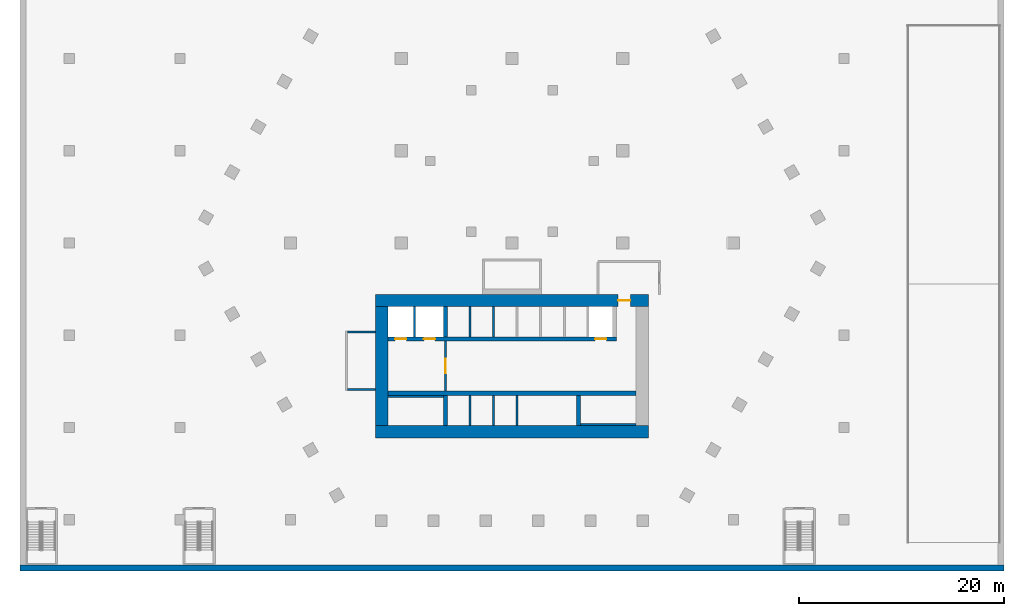
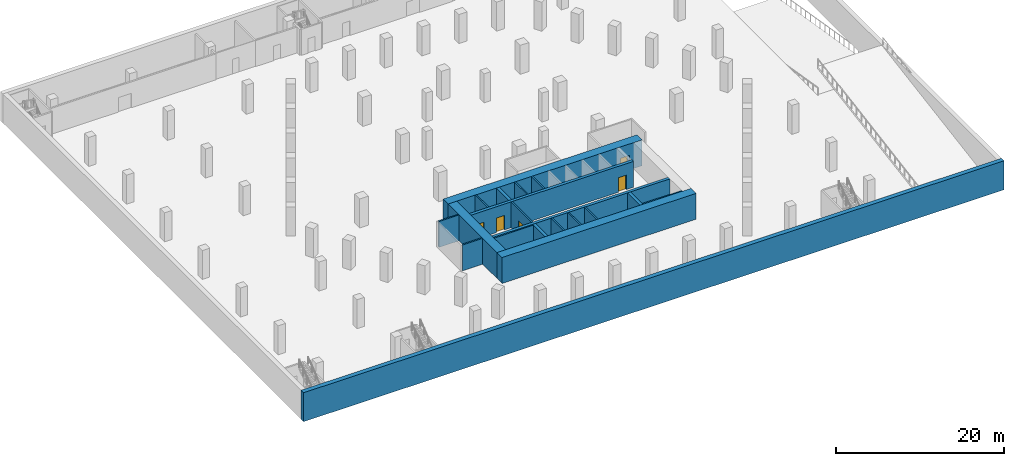
# One storey, part 4 of 20: 20 walls, 5 doors, 5 openings.
"""IFC4 building model written with IfcOpenShell, lengths in metres."""

from ifc_helpers import new_model, si_unit, direction, frame, frame_2d, origin, place, context, subcontext, project, spatial, rectangle, extrude, material, layer, layer_set, type_object, element, fill, save


model = new_model("IFC4")

# Units and contexts
model_context = context("Model", 3, precision=1e-05, world=origin(), true_north=direction((0.0, 1.0)))
body_context = subcontext(model_context, "Body", "Model", "MODEL_VIEW")
ifc_project = project(units=[si_unit("LENGTHUNIT", "METRE"), si_unit("AREAUNIT", "SQUARE_METRE"), si_unit("VOLUMEUNIT", "CUBIC_METRE"), si_unit("PLANEANGLEUNIT", "RADIAN"), si_unit("MASSUNIT", "GRAM", prefix="KILO")], contexts=[model_context])

# Site, building, storey
site_placement = place(None, origin())
site = spatial("IfcSite", under=ifc_project, at=site_placement, CompositionType="ELEMENT")
building_placement = place(site_placement, origin())
building = spatial("IfcBuilding", under=site, at=building_placement, Name="Beryl Residences", CompositionType="ELEMENT")
storey_placement = place(building_placement, frame((0.0, 0.0, -4.199951171875)))
storey = spatial("IfcBuildingStorey", under=building, at=storey_placement, Name="B1", CompositionType="ELEMENT", Elevation=-4.199951171875)

# Wall, opening, door
ifc_material_1 = material(Name="Concrete masonry", Category="masonry")
ifc_layer_1 = layer(ifc_material_1, 0.199951171875)
ifc_layer_set_1 = layer_set([ifc_layer_1], Name="PT13 lobby wall 200 mm")
wall_type_1 = type_object("IfcWallType", Name="PT13 lobby wall 200 mm", PredefinedType="PARTITIONING", material=ifc_layer_set_1)
wall_1_placement = place(storey_placement, frame((-6.5, -14.449951171875, 0.0), z_axis=(0.0, 0.0, 1.0), x_axis=(0.0, 1.0, 0.0)))
wall_1 = element("IfcWall", 1, at=wall_1_placement, inside=storey, type_object=wall_type_1, Name="Lobby wall 06", PredefinedType="PARTITIONING", context=body_context, shape_type="SweptSolid", body=[
    extrude(rectangle(XDim=4.89990234375, YDim=0.199951171875, at=frame_2d((2.449951171875, 0.0))), origin(), (0.0, 0.0, 1.0), 3.75),
])
opening_1_placement = place(wall_1_placement, frame((3.14990234375, 0.0, 0.0), z_axis=(0.0, 0.0, 1.0), x_axis=(-1.0, 0.0, 0.0)))
opening_1 = element("IfcOpeningElement", 2, at=opening_1_placement, cuts=wall_1, Name="Opening FD-FFL", PredefinedType="OPENING", context=body_context, shape_type="SweptSolid", body=[
    extrude(rectangle(XDim=1.39990234375, YDim=2.10009765625, at=frame_2d((0.699951171875, 1.050048828125))), frame((0.0, 0.10986328125, 0.0), z_axis=(0.0, -1.0, 0.0), x_axis=(1.0, 0.0, 0.0)), (0.0, 0.0, 1.0), 0.219970703125),
])
ifc_material_2 = material(Name="Steel door leaf in steel frame", Category="steel")
door_type_1 = type_object("IfcDoorType", Name="D5 lobby door 1400 x 2100 mm", OperationType="DOUBLE_DOOR_SINGLE_SWING", PredefinedType="DOOR", material=ifc_material_2)
door_1_placement = place(opening_1_placement, origin())
door_1 = element("IfcDoor", 3, at=door_1_placement, inside=storey, type_object=door_type_1, Name="Door FD-FFL B1 001", OperationType="DOUBLE_DOOR_SINGLE_SWING", OverallHeight=2.10009765625, OverallWidth=1.39990234375, PredefinedType="DOOR", context=body_context, shape_type="SweptSolid", body=[
    extrude(rectangle(XDim=1.39990234375, YDim=2.10009765625, at=frame_2d((0.699951171875, 1.050048828125))), frame((0.0, 0.02490234375, 0.0), z_axis=(0.0, -1.0, 0.0), x_axis=(1.0, 0.0, 0.0)), (0.0, 0.0, 1.0), 0.050048828125),
])
fill(opening_1, door_1)

# Walls
ifc_material_3 = material(Name="Concrete C40/50", Category="concrete")
ifc_layer_2 = layer(ifc_material_3, 0.199951171875)
ifc_layer_set_2 = layer_set([ifc_layer_2], Name="PT5 stair enclosure wall 200 mm reinforced concrete C40/50")
wall_type_2 = type_object("IfcWallType", Name="PT5 stair enclosure wall 200 mm reinforced concrete C40/50", PredefinedType="SOLIDWALL", material=ifc_layer_set_2)
for number, where, z_axis, x_axis, name in (
    (4, (-16.050048828125, -14.300048828125, 0.0), (0.0, 0.0, 1.0), (1.0, 0.0, 0.0), "Stair wall 02"),
    (5, (-16.050048828125, -8.699951171875, 0.0), (0.0, 0.0, 1.0), (1.0, 0.0, 0.0), "Stair wall 03"),
):
    element("IfcWall", number, at=place(storey_placement, frame(where, z_axis=z_axis, x_axis=x_axis)), inside=storey, type_object=wall_type_2, Name=name, PredefinedType="SOLIDWALL", context=body_context, shape_type="SweptSolid", body=[
        extrude(rectangle(XDim=2.75, YDim=0.199951171875, at=frame_2d((1.375, 0.0))), origin(), (0.0, 0.0, 1.0), 3.75),
    ])
for number, where, z_axis, x_axis, name in (
    (6, (-12.10009765625, -14.949951171875, 0.0), (0.0, 0.0, 1.0), (1.0, 0.0, 0.0), "Stair wall 04"),
    (7, (6.699951171875, -17.699951171875, 0.0), (0.0, 0.0, 1.0), (1.0, 0.0, 0.0), "Stair wall 15"),
):
    element("IfcWall", number, at=place(storey_placement, frame(where, z_axis=z_axis, x_axis=x_axis)), inside=storey, type_object=wall_type_2, Name=name, PredefinedType="SOLIDWALL", context=body_context, shape_type="SweptSolid", body=[
        extrude(rectangle(XDim=5.400146484375, YDim=0.199951171875, at=frame_2d((2.7001953125, 0.0))), origin(), (0.0, 0.0, 1.0), 3.75),
    ])
ifc_material_4 = material(Name="Concrete C40/50", Category="concrete")
ifc_layer_3 = layer(ifc_material_4, 0.199951171875)
ifc_layer_set_3 = layer_set([ifc_layer_3], Name="PT6 lift shaft wall 200 mm reinforced concrete C40/50")
wall_type_3 = type_object("IfcWallType", Name="PT6 lift shaft wall 200 mm reinforced concrete C40/50", PredefinedType="SOLIDWALL", material=ifc_layer_set_3)
for number, where, z_axis, x_axis, name in (
    (8, (-9.5, -9.14990234375, 0.0), (0.0, 0.0, 1.0), (0.0, 1.0, 0.0), "Lift shaft wall 05"),
    (9, (-4.10009765625, -17.800048828125, 0.0), (0.0, 0.0, 1.0), (0.0, 1.0, 0.0), "Lift shaft wall 07"),
    (10, (-4.10009765625, -9.14990234375, 0.0), (0.0, 0.0, 1.0), (0.0, 1.0, 0.0), "Lift shaft wall 08"),
    (11, (-1.800048828125, -17.800048828125, 0.0), (0.0, 0.0, 1.0), (0.0, 1.0, 0.0), "Lift shaft wall 09"),
    (12, (-1.800048828125, -9.14990234375, 0.0), (0.0, 0.0, 1.0), (0.0, 1.0, 0.0), "Lift shaft wall 10"),
    (13, (0.5, -17.800048828125, 0.0), (0.0, 0.0, 1.0), (0.0, 1.0, 0.0), "Lift shaft wall 11"),
):
    element("IfcWall", number, at=place(storey_placement, frame(where, z_axis=z_axis, x_axis=x_axis)), inside=storey, type_object=wall_type_3, Name=name, PredefinedType="SOLIDWALL", context=body_context, shape_type="SweptSolid", body=[
        extrude(rectangle(XDim=2.949951171875, YDim=0.199951171875, at=frame_2d((1.47509765625, 0.0))), origin(), (0.0, 0.0, 1.0), 3.75),
    ])
ifc_material_5 = material(Name="Concrete C50/60", Category="concrete")
ifc_layer_4 = layer(ifc_material_5, 0.60009765625)
ifc_layer_set_4 = layer_set([ifc_layer_4], Name="RW1 basement wall 600 mm C50/60")
wall_type_4 = type_object("IfcWallType", Name="RW1 basement wall 600 mm C50/60", PredefinedType="SOLIDWALL", material=ifc_layer_set_4)
wall_2_placement = place(storey_placement, frame((-48.0, -31.699951171875, 0.0), z_axis=(0.0, 0.0, 1.0), x_axis=(1.0, 0.0, 0.0)))
element("IfcWall", 14, at=wall_2_placement, inside=storey, type_object=wall_type_4, Name="RW1 B1 S", PredefinedType="SOLIDWALL", context=body_context, shape_type="SweptSolid", body=[
    extrude(rectangle(XDim=96.0, YDim=0.60009765625, at=frame_2d((48.0, 0.0))), origin(), (0.0, 0.0, 1.0), 4.199951171875),
])
ifc_material_6 = material(Name="Concrete C80/95", Category="concrete")
ifc_layer_5 = layer(ifc_material_6, 1.199951171875)
ifc_layer_set_5 = layer_set([ifc_layer_5], Name="SW1 core outer wall 1200 mm C80/95")
wall_type_5 = type_object("IfcWallType", Name="SW1 core outer wall 1200 mm C80/95", PredefinedType="SHEAR", material=ifc_layer_set_5)
wall_3_placement = place(storey_placement, frame((-13.300048828125, -18.39990234375, 0.0), z_axis=(0.0, 0.0, 1.0), x_axis=(1.0, 0.0, 0.0)))
element("IfcWall", 15, at=wall_3_placement, inside=storey, type_object=wall_type_5, Name="Core wall S B1", PredefinedType="SHEAR", context=body_context, shape_type="SweptSolid", body=[
    extrude(rectangle(XDim=26.60009765625, YDim=1.199951171875, at=frame_2d((13.300048828125, 0.0))), origin(), (0.0, 0.0, 1.0), 3.75),
])

# Wall, opening, door
wall_4_placement = place(storey_placement, frame((-13.300048828125, -5.60009765625, 0.0), z_axis=(0.0, 0.0, 1.0), x_axis=(1.0, 0.0, 0.0)))
wall_4 = element("IfcWall", 16, at=wall_4_placement, inside=storey, type_object=wall_type_5, Name="Core wall N B1", PredefinedType="SHEAR", context=body_context, shape_type="SweptSolid", body=[
    extrude(rectangle(XDim=26.60009765625, YDim=1.199951171875, at=frame_2d((13.300048828125, 0.0))), origin(), (0.0, 0.0, 1.0), 3.75),
])
opening_2_placement = place(wall_4_placement, frame((23.64990234375, 0.0, 0.0)))
opening_2 = element("IfcOpeningElement", 17, at=opening_2_placement, cuts=wall_4, Name="Opening FD-NORTH", PredefinedType="OPENING", context=body_context, shape_type="SweptSolid", body=[
    extrude(rectangle(XDim=1.199951171875, YDim=2.10009765625, at=frame_2d((0.60009765625, 1.050048828125))), frame((0.0, 0.60986328125, 0.0), z_axis=(0.0, -1.0, 0.0), x_axis=(1.0, 0.0, 0.0)), (0.0, 0.0, 1.0), 1.219970703125),
])
ifc_material_7 = material(Name="Steel door leaf in steel frame", Category="steel")
door_type_2 = type_object("IfcDoorType", Name="D22 lobby door 1200 x 2100 mm", OperationType="DOUBLE_DOOR_SINGLE_SWING", PredefinedType="DOOR", material=ifc_material_7)
door_2_placement = place(opening_2_placement, origin())
door_2 = element("IfcDoor", 18, at=door_2_placement, inside=storey, type_object=door_type_2, Name="Door FD-NORTH B1 001", OperationType="DOUBLE_DOOR_SINGLE_SWING", OverallHeight=2.10009765625, OverallWidth=1.199951171875, PredefinedType="DOOR", context=body_context, shape_type="SweptSolid", body=[
    extrude(rectangle(XDim=1.199951171875, YDim=2.10009765625, at=frame_2d((0.60009765625, 1.050048828125))), frame((0.0, 0.02490234375, 0.0), z_axis=(0.0, -1.0, 0.0), x_axis=(1.0, 0.0, 0.0)), (0.0, 0.0, 1.0), 0.050048828125),
])
fill(opening_2, door_2)

# Walls
wall_5_placement = place(storey_placement, frame((-12.699951171875, -17.800048828125, 0.0), z_axis=(0.0, 0.0, 1.0), x_axis=(0.0, 1.0, 0.0)))
element("IfcWall", 19, at=wall_5_placement, inside=storey, type_object=wall_type_5, Name="Core wall W B1", PredefinedType="SHEAR", context=body_context, shape_type="SweptSolid", body=[
    extrude(rectangle(XDim=11.60009765625, YDim=1.199951171875, at=frame_2d((5.800048828125, 0.0))), origin(), (0.0, 0.0, 1.0), 3.75),
])
ifc_material_8 = material(Name="Concrete C80/95", Category="concrete")
ifc_layer_6 = layer(ifc_material_8, 0.39990234375)
ifc_layer_set_6 = layer_set([ifc_layer_6], Name="SW6 core internal wall 400 mm C80/95")
wall_type_6 = type_object("IfcWallType", Name="SW6 core internal wall 400 mm C80/95", PredefinedType="SHEAR", material=ifc_layer_set_6)
wall_6_placement = place(storey_placement, frame((-12.10009765625, -14.64990234375, 0.0), z_axis=(0.0, 0.0, 1.0), x_axis=(1.0, 0.0, 0.0)))
element("IfcWall", 20, at=wall_6_placement, inside=storey, type_object=wall_type_6, Name="Core wall SP1 B1", PredefinedType="SHEAR", context=body_context, shape_type="SweptSolid", body=[
    extrude(rectangle(XDim=24.2001953125, YDim=0.39990234375, at=frame_2d((12.10009765625, 0.0))), origin(), (0.0, 0.0, 1.0), 3.75),
])

# Wall, openings, doors
wall_7_placement = place(storey_placement, frame((-12.10009765625, -9.35009765625, 0.0), z_axis=(0.0, 0.0, 1.0), x_axis=(1.0, 0.0, 0.0)))
wall_7 = element("IfcWall", 21, at=wall_7_placement, inside=storey, type_object=wall_type_6, Name="Core wall SP2 B1", PredefinedType="SHEAR", context=body_context, shape_type="SweptSolid", body=[
    extrude(rectangle(XDim=22.300048828125, YDim=0.39990234375, at=frame_2d((11.14990234375, 0.0))), origin(), (0.0, 0.0, 1.0), 3.75),
])
opening_3_placement = place(wall_7_placement, frame((0.699951171875, 0.0, 0.0)))
opening_3 = element("IfcOpeningElement", 22, at=opening_3_placement, cuts=wall_7, Name="Opening LD-FF1", PredefinedType="OPENING", context=body_context, shape_type="SweptSolid", body=[
    extrude(rectangle(XDim=1.10009765625, YDim=2.10009765625, at=frame_2d((0.550048828125, 1.050048828125))), frame((0.0, 0.2099609375, 0.0), z_axis=(0.0, -1.0, 0.0), x_axis=(1.0, 0.0, 0.0)), (0.0, 0.0, 1.0), 0.419921875),
])
opening_4_placement = place(wall_7_placement, frame((3.5, 0.0, 0.0)))
opening_4 = element("IfcOpeningElement", 23, at=opening_4_placement, cuts=wall_7, Name="Opening LD-FF2", PredefinedType="OPENING", context=body_context, shape_type="SweptSolid", body=[
    extrude(rectangle(XDim=1.10009765625, YDim=2.10009765625, at=frame_2d((0.550048828125, 1.050048828125))), frame((0.0, 0.2099609375, 0.0), z_axis=(0.0, -1.0, 0.0), x_axis=(1.0, 0.0, 0.0)), (0.0, 0.0, 1.0), 0.419921875),
])
opening_5_placement = place(wall_7_placement, frame((20.199951171875, 0.0, 0.0)))
opening_5 = element("IfcOpeningElement", 24, at=opening_5_placement, cuts=wall_7, Name="Opening LD-SL1", PredefinedType="OPENING", context=body_context, shape_type="SweptSolid", body=[
    extrude(rectangle(XDim=1.10009765625, YDim=2.10009765625, at=frame_2d((0.550048828125, 1.050048828125))), frame((0.0, 0.2099609375, 0.0), z_axis=(0.0, -1.0, 0.0), x_axis=(1.0, 0.0, 0.0)), (0.0, 0.0, 1.0), 0.419921875),
])
ifc_material_9 = material(Name="Stainless steel sliding door", Category="steel")
door_type_3 = type_object("IfcDoorType", Name="LD1 lift landing door 1100 x 2100 mm", OperationType="DOUBLE_DOOR_SLIDING", PredefinedType="DOOR", material=ifc_material_9)
door_3_placement = place(opening_3_placement, origin())
door_3 = element("IfcDoor", 25, at=door_3_placement, inside=storey, type_object=door_type_3, Name="Lift landing door FF1", OperationType="DOUBLE_DOOR_SLIDING", OverallHeight=2.10009765625, OverallWidth=1.10009765625, PredefinedType="DOOR", context=body_context, shape_type="SweptSolid", body=[
    extrude(rectangle(XDim=1.10009765625, YDim=2.10009765625, at=frame_2d((0.550048828125, 1.050048828125))), frame((0.0, 0.02490234375, 0.0), z_axis=(0.0, -1.0, 0.0), x_axis=(1.0, 0.0, 0.0)), (0.0, 0.0, 1.0), 0.050048828125),
])
fill(opening_3, door_3)
door_4_placement = place(opening_4_placement, origin())
door_4 = element("IfcDoor", 26, at=door_4_placement, inside=storey, type_object=door_type_3, Name="Lift landing door FF2", OperationType="DOUBLE_DOOR_SLIDING", OverallHeight=2.10009765625, OverallWidth=1.10009765625, PredefinedType="DOOR", context=body_context, shape_type="SweptSolid", body=[
    extrude(rectangle(XDim=1.10009765625, YDim=2.10009765625, at=frame_2d((0.550048828125, 1.050048828125))), frame((0.0, 0.02490234375, 0.0), z_axis=(0.0, -1.0, 0.0), x_axis=(1.0, 0.0, 0.0)), (0.0, 0.0, 1.0), 0.050048828125),
])
fill(opening_4, door_4)
door_5_placement = place(opening_5_placement, origin())
door_5 = element("IfcDoor", 27, at=door_5_placement, inside=storey, type_object=door_type_3, Name="Lift landing door SL1", OperationType="DOUBLE_DOOR_SLIDING", OverallHeight=2.10009765625, OverallWidth=1.10009765625, PredefinedType="DOOR", context=body_context, shape_type="SweptSolid", body=[
    extrude(rectangle(XDim=1.10009765625, YDim=2.10009765625, at=frame_2d((0.550048828125, 1.050048828125))), frame((0.0, 0.02490234375, 0.0), z_axis=(0.0, -1.0, 0.0), x_axis=(1.0, 0.0, 0.0)), (0.0, 0.0, 1.0), 0.050048828125),
])
fill(opening_5, door_5)

# Walls
for number, where, z_axis, x_axis, name in (
    (28, (-6.5, -17.800048828125, 0.0), (0.0, 0.0, 1.0), (0.0, 1.0, 0.0), "Core wall XS1 B1"),
    (29, (6.5, -17.800048828125, 0.0), (0.0, 0.0, 1.0), (0.0, 1.0, 0.0), "Core wall XS2 B1"),
    (30, (-6.5, -9.14990234375, 0.0), (0.0, 0.0, 1.0), (0.0, 1.0, 0.0), "Core wall XN1 B1"),
):
    element("IfcWall", number, at=place(storey_placement, frame(where, z_axis=z_axis, x_axis=x_axis)), inside=storey, type_object=wall_type_6, Name=name, PredefinedType="SHEAR", context=body_context, shape_type="SweptSolid", body=[
        extrude(rectangle(XDim=2.949951171875, YDim=0.39990234375, at=frame_2d((1.47509765625, 0.0))), origin(), (0.0, 0.0, 1.0), 3.75),
    ])

save(model, "model.ifc")
